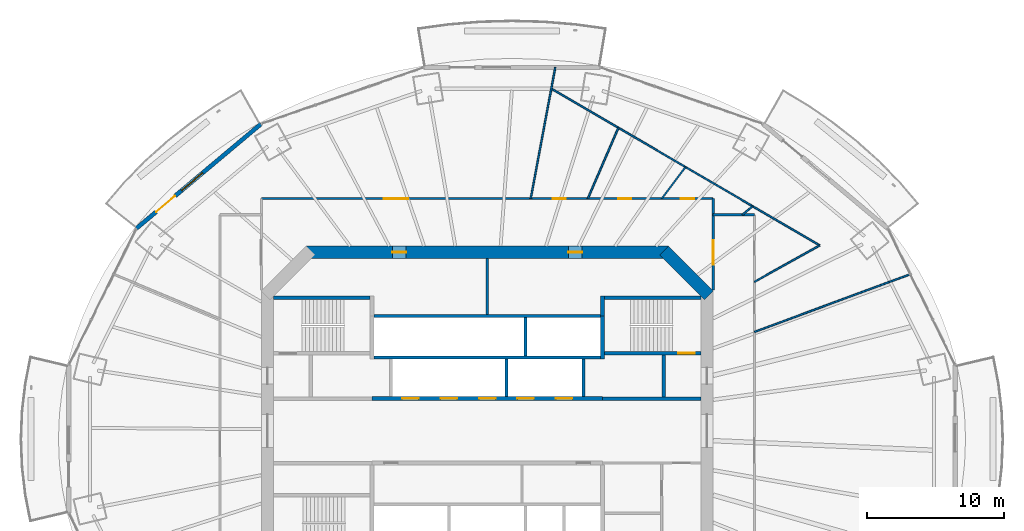
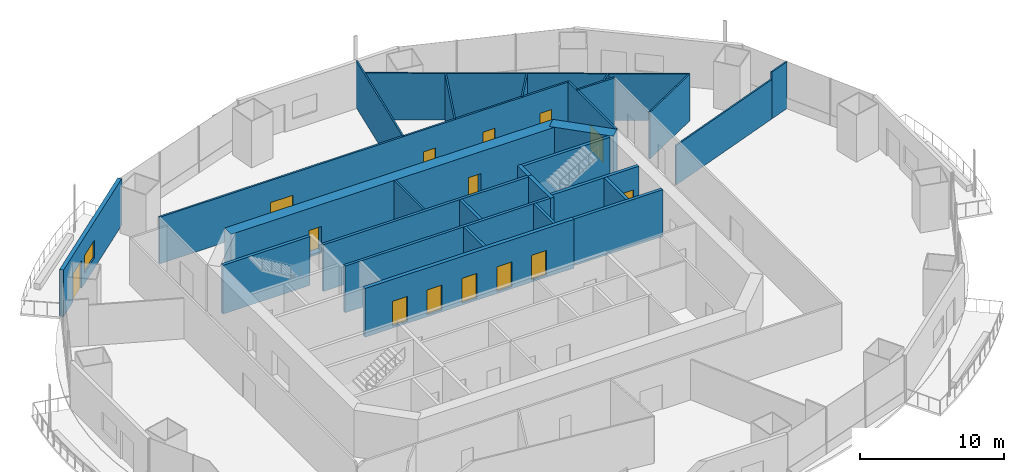
# One storey, part 14 of 21: 28 walls, 14 doors, 1 window, 15 openings.
"""IFC4 building model written with IfcOpenShell, lengths in metres."""

from ifc_helpers import new_model, si_unit, direction, frame, frame_2d, origin, place, context, subcontext, project, spatial, rectangle, extrude, material, layer, layer_set, type_object, element, fill, save


model = new_model("IFC4")

# Units and contexts
model_context = context("Model", 3, precision=1e-05, world=origin(), true_north=direction((0.0, 1.0)))
body_context = subcontext(model_context, "Body", "Model", "MODEL_VIEW")
ifc_project = project(units=[si_unit("LENGTHUNIT", "METRE"), si_unit("AREAUNIT", "SQUARE_METRE"), si_unit("VOLUMEUNIT", "CUBIC_METRE"), si_unit("PLANEANGLEUNIT", "RADIAN"), si_unit("MASSUNIT", "GRAM", prefix="KILO")], contexts=[model_context])

# Site, building, storey
site_placement = place(None, origin())
site = spatial("IfcSite", under=ifc_project, at=site_placement, CompositionType="ELEMENT")
building_placement = place(site_placement, origin())
building = spatial("IfcBuilding", under=site, at=building_placement, Name="Marenthal Gate Tower", CompositionType="ELEMENT")
storey_placement = place(building_placement, frame((0.0, 0.0, 165.199951171875)))
storey = spatial("IfcBuildingStorey", under=building, at=storey_placement, Name="L35", CompositionType="ELEMENT", Elevation=165.199951171875)

# Wall
ifc_material_1 = material(Name="Concrete 60 MPa", Category="concrete")
ifc_layer_1 = layer(ifc_material_1, 0.89990234375)
ifc_layer_set_1 = layer_set([ifc_layer_1], Name="Core shear wall 900")
wall_type_1 = type_object("IfcWallType", Name="Core shear wall 900", PredefinedType="SHEAR", material=ifc_layer_set_1)
wall_1_placement = place(storey_placement, frame((16.1318359375, 9.8681640625, -0.179931640625), z_axis=(0.0, 0.0, 1.0), x_axis=(-0.707106781187, 0.707106781187, 0.0)))
element("IfcWall", 1, at=wall_1_placement, inside=storey, type_object=wall_type_1, Name="Core wall 03", PredefinedType="SHEAR", context=body_context, shape_type="SweptSolid", body=[
    extrude(rectangle(XDim=4.615478515625, YDim=0.89990234375, at=frame_2d((2.3076171875, 0.0))), origin(), (0.0, 0.0, 1.0), 4.14990234375),
])

# Wall, openings, doors
wall_2_placement = place(storey_placement, frame((13.186279296875, 13.0, -0.179931640625), z_axis=(0.0, 0.0, 1.0), x_axis=(-1.0, 0.0, 0.0)))
wall_2 = element("IfcWall", 2, at=wall_2_placement, inside=storey, type_object=wall_type_1, Name="Core wall 04", PredefinedType="SHEAR", context=body_context, shape_type="SweptSolid", body=[
    extrude(rectangle(XDim=26.37255859375, YDim=0.89990234375, at=frame_2d((13.186279296875, 0.0))), origin(), (0.0, 0.0, 1.0), 4.14990234375),
])
opening_1_placement = place(wall_2_placement, frame((19.093505859375, 0.0, 0.179931640625)))
opening_1 = element("IfcOpeningElement", 3, at=opening_1_placement, cuts=wall_2, Name="Opening D005.03", PredefinedType="OPENING", context=body_context, shape_type="SweptSolid", body=[
    extrude(rectangle(XDim=1.0, YDim=2.10009765625, at=frame_2d((0.5, 1.050048828125))), frame((0.0, 0.4599609375, 0.0), z_axis=(0.0, -1.0, 0.0), x_axis=(1.0, 0.0, 0.0)), (0.0, 0.0, 1.0), 0.919921875),
])
opening_2_placement = place(wall_2_placement, frame((6.279296875, 0.0, 0.179931640625)))
opening_2 = element("IfcOpeningElement", 4, at=opening_2_placement, cuts=wall_2, Name="Opening D005.04", PredefinedType="OPENING", context=body_context, shape_type="SweptSolid", body=[
    extrude(rectangle(XDim=1.0, YDim=2.10009765625, at=frame_2d((0.5, 1.050048828125))), frame((0.0, 0.4599609375, 0.0), z_axis=(0.0, -1.0, 0.0), x_axis=(1.0, 0.0, 0.0)), (0.0, 0.0, 1.0), 0.919921875),
])
ifc_material_2 = material(Name="Steel fire door", Category="steel")
door_type_1 = type_object("IfcDoorType", Name="Fire door FD 45 1000 x 2100", OperationType="NOTDEFINED", PredefinedType="DOOR", material=ifc_material_2)
door_1_placement = place(opening_1_placement, origin())
door_1 = element("IfcDoor", 5, at=door_1_placement, inside=storey, type_object=door_type_1, Name="Door D005.03", OperationType="SINGLE_SWING_RIGHT", OverallHeight=2.10009765625, OverallWidth=1.0, PredefinedType="DOOR", context=body_context, shape_type="SweptSolid", body=[
    extrude(rectangle(XDim=1.0, YDim=2.10009765625, at=frame_2d((0.5, 1.050048828125))), frame((0.0, 0.02490234375, 0.0), z_axis=(0.0, -1.0, 0.0), x_axis=(1.0, 0.0, 0.0)), (0.0, 0.0, 1.0), 0.050048828125),
])
fill(opening_1, door_1)
door_2_placement = place(opening_2_placement, origin())
door_2 = element("IfcDoor", 6, at=door_2_placement, inside=storey, type_object=door_type_1, Name="Door D005.04", OperationType="SINGLE_SWING_RIGHT", OverallHeight=2.10009765625, OverallWidth=1.0, PredefinedType="DOOR", context=body_context, shape_type="SweptSolid", body=[
    extrude(rectangle(XDim=1.0, YDim=2.10009765625, at=frame_2d((0.5, 1.050048828125))), frame((0.0, 0.02490234375, 0.0), z_axis=(0.0, -1.0, 0.0), x_axis=(1.0, 0.0, 0.0)), (0.0, 0.0, 1.0), 0.050048828125),
])
fill(opening_2, door_2)

ifc_material_3 = material(Name="Concrete 50 MPa", Category="concrete")
ifc_layer_2 = layer(ifc_material_3, 0.300048828125)
ifc_layer_set_2 = layer_set([ifc_layer_2], Name="Hoistway shear wall 300")
wall_type_2 = type_object("IfcWallType", Name="Hoistway shear wall 300", PredefinedType="SHEAR", material=ifc_layer_set_2)
wall_3_placement = place(storey_placement, frame((-8.39990234375, 2.35009765625, -0.179931640625), z_axis=(0.0, 0.0, 1.0), x_axis=(1.0, 0.0, 0.0)))
wall_3 = element("IfcWall", 7, at=wall_3_placement, inside=storey, type_object=wall_type_2, Name="Hoistway wall 19", PredefinedType="SHEAR", context=body_context, shape_type="SweptSolid", body=[
    extrude(rectangle(XDim=16.7998046875, YDim=0.300048828125, at=frame_2d((8.39990234375, 0.0))), origin(), (0.0, 0.0, 1.0), 4.14990234375),
])
opening_3_placement = place(wall_3_placement, frame((2.199951171875, 0.0, 0.179931640625)))
opening_3 = element("IfcOpeningElement", 8, at=opening_3_placement, cuts=wall_3, Name="Opening LD-MP1", PredefinedType="OPENING", context=body_context, shape_type="SweptSolid", body=[
    extrude(rectangle(XDim=1.199951171875, YDim=2.10009765625, at=frame_2d((0.60009765625, 1.050048828125))), frame((0.0, 0.16015625, 0.0), z_axis=(0.0, -1.0, 0.0), x_axis=(1.0, 0.0, 0.0)), (0.0, 0.0, 1.0), 0.320068359375),
])
opening_4_placement = place(wall_3_placement, frame((5.0, 0.0, 0.179931640625)))
opening_4 = element("IfcOpeningElement", 9, at=opening_4_placement, cuts=wall_3, Name="Opening LD-MP2", PredefinedType="OPENING", context=body_context, shape_type="SweptSolid", body=[
    extrude(rectangle(XDim=1.199951171875, YDim=2.10009765625, at=frame_2d((0.60009765625, 1.050048828125))), frame((0.0, 0.16015625, 0.0), z_axis=(0.0, -1.0, 0.0), x_axis=(1.0, 0.0, 0.0)), (0.0, 0.0, 1.0), 0.320068359375),
])
opening_5_placement = place(wall_3_placement, frame((7.800048828125, 0.0, 0.179931640625)))
opening_5 = element("IfcOpeningElement", 10, at=opening_5_placement, cuts=wall_3, Name="Opening LD-MP3", PredefinedType="OPENING", context=body_context, shape_type="SweptSolid", body=[
    extrude(rectangle(XDim=1.199951171875, YDim=2.10009765625, at=frame_2d((0.60009765625, 1.050048828125))), frame((0.0, 0.16015625, 0.0), z_axis=(0.0, -1.0, 0.0), x_axis=(1.0, 0.0, 0.0)), (0.0, 0.0, 1.0), 0.320068359375),
])
opening_6_placement = place(wall_3_placement, frame((10.60009765625, 0.0, 0.179931640625)))
opening_6 = element("IfcOpeningElement", 11, at=opening_6_placement, cuts=wall_3, Name="Opening LD-MP4", PredefinedType="OPENING", context=body_context, shape_type="SweptSolid", body=[
    extrude(rectangle(XDim=1.199951171875, YDim=2.10009765625, at=frame_2d((0.60009765625, 1.050048828125))), frame((0.0, 0.16015625, 0.0), z_axis=(0.0, -1.0, 0.0), x_axis=(1.0, 0.0, 0.0)), (0.0, 0.0, 1.0), 0.320068359375),
])
opening_7_placement = place(wall_3_placement, frame((13.39990234375, 0.0, 0.179931640625)))
opening_7 = element("IfcOpeningElement", 12, at=opening_7_placement, cuts=wall_3, Name="Opening LD-MP5", PredefinedType="OPENING", context=body_context, shape_type="SweptSolid", body=[
    extrude(rectangle(XDim=1.199951171875, YDim=2.10009765625, at=frame_2d((0.60009765625, 1.050048828125))), frame((0.0, 0.16015625, 0.0), z_axis=(0.0, -1.0, 0.0), x_axis=(1.0, 0.0, 0.0)), (0.0, 0.0, 1.0), 0.320068359375),
])
ifc_material_4 = material(Name="Stainless steel sliding door", Category="steel")
door_type_2 = type_object("IfcDoorType", Name="Lift landing door FD 90 1200 x 2100", OperationType="DOUBLE_DOOR_SLIDING", PredefinedType="DOOR", material=ifc_material_4)
door_3_placement = place(opening_3_placement, origin())
door_3 = element("IfcDoor", 13, at=door_3_placement, inside=storey, type_object=door_type_2, Name="Lift landing door MP1", OperationType="DOUBLE_DOOR_SLIDING", OverallHeight=2.10009765625, OverallWidth=1.199951171875, PredefinedType="DOOR", context=body_context, shape_type="SweptSolid", body=[
    extrude(rectangle(XDim=1.199951171875, YDim=2.10009765625, at=frame_2d((0.60009765625, 1.050048828125))), frame((0.0, 0.02490234375, 0.0), z_axis=(0.0, -1.0, 0.0), x_axis=(1.0, 0.0, 0.0)), (0.0, 0.0, 1.0), 0.050048828125),
])
fill(opening_3, door_3)
door_4_placement = place(opening_4_placement, origin())
door_4 = element("IfcDoor", 14, at=door_4_placement, inside=storey, type_object=door_type_2, Name="Lift landing door MP2", OperationType="DOUBLE_DOOR_SLIDING", OverallHeight=2.10009765625, OverallWidth=1.199951171875, PredefinedType="DOOR", context=body_context, shape_type="SweptSolid", body=[
    extrude(rectangle(XDim=1.199951171875, YDim=2.10009765625, at=frame_2d((0.60009765625, 1.050048828125))), frame((0.0, 0.02490234375, 0.0), z_axis=(0.0, -1.0, 0.0), x_axis=(1.0, 0.0, 0.0)), (0.0, 0.0, 1.0), 0.050048828125),
])
fill(opening_4, door_4)
door_5_placement = place(opening_5_placement, origin())
door_5 = element("IfcDoor", 15, at=door_5_placement, inside=storey, type_object=door_type_2, Name="Lift landing door MP3", OperationType="DOUBLE_DOOR_SLIDING", OverallHeight=2.10009765625, OverallWidth=1.199951171875, PredefinedType="DOOR", context=body_context, shape_type="SweptSolid", body=[
    extrude(rectangle(XDim=1.199951171875, YDim=2.10009765625, at=frame_2d((0.60009765625, 1.050048828125))), frame((0.0, 0.02490234375, 0.0), z_axis=(0.0, -1.0, 0.0), x_axis=(1.0, 0.0, 0.0)), (0.0, 0.0, 1.0), 0.050048828125),
])
fill(opening_5, door_5)
door_6_placement = place(opening_6_placement, origin())
door_6 = element("IfcDoor", 16, at=door_6_placement, inside=storey, type_object=door_type_2, Name="Lift landing door MP4", OperationType="DOUBLE_DOOR_SLIDING", OverallHeight=2.10009765625, OverallWidth=1.199951171875, PredefinedType="DOOR", context=body_context, shape_type="SweptSolid", body=[
    extrude(rectangle(XDim=1.199951171875, YDim=2.10009765625, at=frame_2d((0.60009765625, 1.050048828125))), frame((0.0, 0.02490234375, 0.0), z_axis=(0.0, -1.0, 0.0), x_axis=(1.0, 0.0, 0.0)), (0.0, 0.0, 1.0), 0.050048828125),
])
fill(opening_6, door_6)
door_7_placement = place(opening_7_placement, origin())
door_7 = element("IfcDoor", 17, at=door_7_placement, inside=storey, type_object=door_type_2, Name="Lift landing door MP5", OperationType="DOUBLE_DOOR_SLIDING", OverallHeight=2.10009765625, OverallWidth=1.199951171875, PredefinedType="DOOR", context=body_context, shape_type="SweptSolid", body=[
    extrude(rectangle(XDim=1.199951171875, YDim=2.10009765625, at=frame_2d((0.60009765625, 1.050048828125))), frame((0.0, 0.02490234375, 0.0), z_axis=(0.0, -1.0, 0.0), x_axis=(1.0, 0.0, 0.0)), (0.0, 0.0, 1.0), 0.050048828125),
])
fill(opening_7, door_7)

# Walls
wall_4_placement = place(storey_placement, frame((8.39990234375, 5.239990234375, -0.179931640625), z_axis=(0.0, 0.0, 1.0), x_axis=(0.0, 1.0, 0.0)))
element("IfcWall", 18, at=wall_4_placement, inside=storey, type_object=wall_type_2, Name="Hoistway wall 45", PredefinedType="SHEAR", context=body_context, shape_type="SweptSolid", body=[
    extrude(rectangle(XDim=3.110107421875, YDim=0.300048828125, at=frame_2d((1.55517578125, 0.0))), origin(), (0.0, 0.0, 1.0), 4.14990234375),
])
ifc_material_5 = material(Name="Concrete 40 MPa", Category="concrete")
ifc_layer_3 = layer(ifc_material_5, 0.219970703125)
ifc_layer_set_3 = layer_set([ifc_layer_3], Name="Hoistway wall 220")
wall_type_3 = type_object("IfcWallType", Name="Hoistway wall 220", PredefinedType="STANDARD", material=ifc_layer_set_3)
for number, where, z_axis, x_axis, name in (
    (19, (-8.25, 5.35009765625, 0.0), (0.0, 0.0, 1.0), (1.0, 0.0, 0.0), "Hoistway wall 21"),
    (20, (-8.25, 8.35009765625, 0.0), (0.0, 0.0, 1.0), (1.0, 0.0, 0.0), "Hoistway wall 24"),
):
    element("IfcWall", number, at=place(storey_placement, frame(where, z_axis=z_axis, x_axis=x_axis)), inside=storey, type_object=wall_type_3, Name=name, PredefinedType="STANDARD", context=body_context, shape_type="SweptSolid", body=[
        extrude(rectangle(XDim=16.5, YDim=0.219970703125, at=frame_2d((8.25, 0.0))), origin(), (0.0, 0.0, 1.0), 3.969970703125),
    ])
wall_5_placement = place(storey_placement, frame((1.39990234375, 2.5, 0.0), z_axis=(0.0, 0.0, 1.0), x_axis=(0.0, 1.0, 0.0)))
element("IfcWall", 21, at=wall_5_placement, inside=storey, type_object=wall_type_3, Name="Hoistway wall 37", PredefinedType="STANDARD", context=body_context, shape_type="SweptSolid", body=[
    extrude(rectangle(XDim=2.739990234375, YDim=0.219970703125, at=frame_2d((1.3701171875, 0.0))), origin(), (0.0, 0.0, 1.0), 3.969970703125),
])
wall_6_placement = place(storey_placement, frame((2.800048828125, 5.4599609375, 0.0), z_axis=(0.0, 0.0, 1.0), x_axis=(0.0, 1.0, 0.0)))
element("IfcWall", 22, at=wall_6_placement, inside=storey, type_object=wall_type_3, Name="Hoistway wall 40", PredefinedType="STANDARD", context=body_context, shape_type="SweptSolid", body=[
    extrude(rectangle(XDim=2.780029296875, YDim=0.219970703125, at=frame_2d((1.39013671875, 0.0))), origin(), (0.0, 0.0, 1.0), 3.969970703125),
])
wall_7_placement = place(storey_placement, frame((7.0, 2.5, 0.0), z_axis=(0.0, 0.0, 1.0), x_axis=(0.0, 1.0, 0.0)))
element("IfcWall", 23, at=wall_7_placement, inside=storey, type_object=wall_type_3, Name="Hoistway wall 42", PredefinedType="STANDARD", context=body_context, shape_type="SweptSolid", body=[
    extrude(rectangle(XDim=2.739990234375, YDim=0.219970703125, at=frame_2d((1.3701171875, 0.0))), origin(), (0.0, 0.0, 1.0), 3.969970703125),
])
ifc_material_6 = material(Name="Gypsum board on steel studs", Category="steel")
ifc_layer_4 = layer(ifc_material_6, 0.1201171875)
ifc_layer_set_4 = layer_set([ifc_layer_4], Name="Partition 120")
wall_type_4 = type_object("IfcWallType", Name="Partition 120", PredefinedType="PARTITIONING", material=ifc_layer_set_4)
wall_8_placement = place(storey_placement, frame((3.162109375, 16.90380859375, 0.0), z_axis=(0.0, 0.0, 1.0), x_axis=(0.183861029676, 0.982952247958, 0.0)))
element("IfcWall", 24, at=wall_8_placement, inside=storey, type_object=wall_type_4, Name="Partition wall 58", PredefinedType="PARTITIONING", context=body_context, shape_type="SweptSolid", body=[
    extrude(rectangle(XDim=9.723876953125, YDim=0.1201171875, at=frame_2d((4.86181640625, 0.0))), origin(), (0.0, 0.0, 1.0), 3.969970703125),
])
wall_9_placement = place(storey_placement, frame((9.547119140625, 22.0625, 0.0), z_axis=(0.0, 0.0, 1.0), x_axis=(-0.397156395758, -0.917750945142, 0.0)))
element("IfcWall", 25, at=wall_9_placement, inside=storey, type_object=wall_type_4, Name="Partition wall 60", PredefinedType="PARTITIONING", context=body_context, shape_type="SweptSolid", body=[
    extrude(rectangle(XDim=5.62109375, YDim=0.1201171875, at=frame_2d((2.810546875, 0.0))), origin(), (0.0, 0.0, 1.0), 3.969970703125),
])
wall_10_placement = place(storey_placement, frame((14.43310546875, 19.208984375, 0.0), z_axis=(0.0, 0.0, 1.0), x_axis=(-0.600731295076, -0.799451006076, 0.0)))
element("IfcWall", 26, at=wall_10_placement, inside=storey, type_object=wall_type_4, Name="Partition wall 61", PredefinedType="PARTITIONING", context=body_context, shape_type="SweptSolid", body=[
    extrude(rectangle(XDim=2.883544921875, YDim=0.1201171875, at=frame_2d((1.44189453125, 0.0))), origin(), (0.0, 0.0, 1.0), 3.969970703125),
])
wall_11_placement = place(storey_placement, frame((19.3193359375, 16.355712890625, 0.0), z_axis=(0.0, 0.0, 1.0), x_axis=(-0.763098484836, -0.646282215786, 0.0)))
element("IfcWall", 27, at=wall_11_placement, inside=storey, type_object=wall_type_4, Name="Partition wall 64", PredefinedType="PARTITIONING", context=body_context, shape_type="SweptSolid", body=[
    extrude(rectangle(XDim=0.965576171875, YDim=0.1201171875, at=frame_2d((0.48291015625, 0.0))), origin(), (0.0, 0.0, 1.0), 3.969970703125),
])
wall_12_placement = place(storey_placement, frame((19.449951171875, 7.202880859375, 0.0), z_axis=(0.0, 0.0, 1.0), x_axis=(0.937756089428, 0.347294567682, 0.0)))
element("IfcWall", 28, at=wall_12_placement, inside=storey, type_object=wall_type_4, Name="Partition wall 66", PredefinedType="PARTITIONING", context=body_context, shape_type="SweptSolid", body=[
    extrude(rectangle(XDim=10.44775390625, YDim=0.1201171875, at=frame_2d((5.223876953125, 0.0))), origin(), (0.0, 0.0, 1.0), 3.358154296875),
])
wall_13_placement = place(storey_placement, frame((29.247314453125, 10.831298828125, 0.0), z_axis=(0.0, 0.0, 1.0), x_axis=(0.937796889534, 0.347184380381, 0.0)))
element("IfcWall", 29, at=wall_13_placement, inside=storey, type_object=wall_type_4, Name="Partition wall 72", PredefinedType="PARTITIONING", context=body_context, shape_type="SweptSolid", body=[
    extrude(rectangle(XDim=1.65185546875, YDim=0.1201171875, at=frame_2d((0.825927734375, 0.0))), origin(), (0.0, 0.0, 1.0), 3.969970703125),
])
wall_14_placement = place(storey_placement, frame((24.20556640625, 13.50244140625, 0.0), z_axis=(0.0, 0.0, 1.0), x_axis=(-0.863538195042, 0.504283437864, 0.0)))
element("IfcWall", 30, at=wall_14_placement, inside=storey, type_object=wall_type_4, Name="Partition wall 68", PredefinedType="PARTITIONING", context=body_context, shape_type="SweptSolid", body=[
    extrude(rectangle(XDim=22.63330078125, YDim=0.1201171875, at=frame_2d((11.316650390625, 0.0))), origin(), (0.0, 0.0, 1.0), 3.969970703125),
])
wall_15_placement = place(storey_placement, frame((24.20556640625, 13.50244140625, 0.0), z_axis=(0.0, 0.0, 1.0), x_axis=(-0.873312155931, -0.487161039394, 0.0)))
element("IfcWall", 31, at=wall_15_placement, inside=storey, type_object=wall_type_4, Name="Partition wall 69", PredefinedType="PARTITIONING", context=body_context, shape_type="SweptSolid", body=[
    extrude(rectangle(XDim=5.445556640625, YDim=0.1201171875, at=frame_2d((2.72265625, 0.0))), origin(), (0.0, 0.0, 1.0), 3.969970703125),
])
ifc_material_7 = material(Name="Gypsum board on steel studs", Category="steel")
ifc_layer_5 = layer(ifc_material_7, 0.14990234375)
ifc_layer_set_5 = layer_set([ifc_layer_5], Name="Partition 150")
wall_type_5 = type_object("IfcWallType", Name="Partition 150", PredefinedType="PARTITIONING", material=ifc_layer_set_5)
wall_16_placement = place(storey_placement, frame((0.0, 8.4599609375, 0.0), z_axis=(0.0, 0.0, 1.0), x_axis=(0.0, 1.0, 0.0)))
element("IfcWall", 32, at=wall_16_placement, inside=storey, type_object=wall_type_5, Name="Partition wall 36", PredefinedType="PARTITIONING", context=body_context, shape_type="SweptSolid", body=[
    extrude(rectangle(XDim=4.090087890625, YDim=0.14990234375, at=frame_2d((2.044921875, 0.0))), origin(), (0.0, 0.0, 1.0), 3.969970703125),
])

# Wall, openings, doors
wall_17_placement = place(storey_placement, frame((-16.449951171875, 16.90380859375, 0.0), z_axis=(0.0, 0.0, 1.0), x_axis=(1.0, 0.0, 0.0)))
wall_17 = element("IfcWall", 33, at=wall_17_placement, inside=storey, type_object=wall_type_5, Name="Partition wall 54", PredefinedType="PARTITIONING", context=body_context, shape_type="SweptSolid", body=[
    extrude(rectangle(XDim=32.89990234375, YDim=0.14990234375, at=frame_2d((16.449951171875, 0.0))), origin(), (0.0, 0.0, 1.0), 3.969970703125),
])
opening_8_placement = place(wall_17_placement, frame((30.550048828125, 0.0, 0.0)))
opening_8 = element("IfcOpeningElement", 34, at=opening_8_placement, cuts=wall_17, Name="Opening D016.02", PredefinedType="OPENING", context=body_context, shape_type="SweptSolid", body=[
    extrude(rectangle(XDim=0.949951171875, YDim=2.10009765625, at=frame_2d((0.47509765625, 1.050048828125))), frame((0.0, 0.0849609375, 0.0), z_axis=(0.0, -1.0, 0.0), x_axis=(1.0, 0.0, 0.0)), (0.0, 0.0, 1.0), 0.169921875),
])
opening_9_placement = place(wall_17_placement, frame((25.98291015625, 0.0, 0.0)))
opening_9 = element("IfcOpeningElement", 35, at=opening_9_placement, cuts=wall_17, Name="Opening D016.03", PredefinedType="OPENING", context=body_context, shape_type="SweptSolid", body=[
    extrude(rectangle(XDim=0.949951171875, YDim=2.10009765625, at=frame_2d((0.47509765625, 1.050048828125))), frame((0.0, 0.0849609375, 0.0), z_axis=(0.0, -1.0, 0.0), x_axis=(1.0, 0.0, 0.0)), (0.0, 0.0, 1.0), 0.169921875),
])
opening_10_placement = place(wall_17_placement, frame((21.212890625, 0.0, 0.0)))
opening_10 = element("IfcOpeningElement", 36, at=opening_10_placement, cuts=wall_17, Name="Opening D016.04", PredefinedType="OPENING", context=body_context, shape_type="SweptSolid", body=[
    extrude(rectangle(XDim=0.949951171875, YDim=2.10009765625, at=frame_2d((0.47509765625, 1.050048828125))), frame((0.0, 0.0849609375, 0.0), z_axis=(0.0, -1.0, 0.0), x_axis=(1.0, 0.0, 0.0)), (0.0, 0.0, 1.0), 0.169921875),
])
opening_11_placement = place(wall_17_placement, frame((8.906005859375, 0.0, 0.0)))
opening_11 = element("IfcOpeningElement", 37, at=opening_11_placement, cuts=wall_17, Name="Opening D014.01", PredefinedType="OPENING", context=body_context, shape_type="SweptSolid", body=[
    extrude(rectangle(XDim=1.800048828125, YDim=2.10009765625, at=frame_2d((0.89990234375, 1.050048828125))), frame((0.0, 0.0849609375, 0.0), z_axis=(0.0, -1.0, 0.0), x_axis=(1.0, 0.0, 0.0)), (0.0, 0.0, 1.0), 0.169921875),
])
ifc_material_8 = material(Name="Timber door", Category="wood")
door_type_3 = type_object("IfcDoorType", Name="Door 950 x 2100", OperationType="NOTDEFINED", PredefinedType="DOOR", material=ifc_material_8)
door_8_placement = place(opening_8_placement, origin())
door_8 = element("IfcDoor", 38, at=door_8_placement, inside=storey, type_object=door_type_3, Name="Door D016.02", OperationType="SINGLE_SWING_RIGHT", OverallHeight=2.10009765625, OverallWidth=0.949951171875, PredefinedType="DOOR", context=body_context, shape_type="SweptSolid", body=[
    extrude(rectangle(XDim=0.949951171875, YDim=2.10009765625, at=frame_2d((0.47509765625, 1.050048828125))), frame((0.0, 0.02490234375, 0.0), z_axis=(0.0, -1.0, 0.0), x_axis=(1.0, 0.0, 0.0)), (0.0, 0.0, 1.0), 0.050048828125),
])
fill(opening_8, door_8)
door_9_placement = place(opening_9_placement, origin())
door_9 = element("IfcDoor", 39, at=door_9_placement, inside=storey, type_object=door_type_3, Name="Door D016.03", OperationType="SINGLE_SWING_RIGHT", OverallHeight=2.10009765625, OverallWidth=0.949951171875, PredefinedType="DOOR", context=body_context, shape_type="SweptSolid", body=[
    extrude(rectangle(XDim=0.949951171875, YDim=2.10009765625, at=frame_2d((0.47509765625, 1.050048828125))), frame((0.0, 0.02490234375, 0.0), z_axis=(0.0, -1.0, 0.0), x_axis=(1.0, 0.0, 0.0)), (0.0, 0.0, 1.0), 0.050048828125),
])
fill(opening_9, door_9)
door_10_placement = place(opening_10_placement, origin())
door_10 = element("IfcDoor", 40, at=door_10_placement, inside=storey, type_object=door_type_3, Name="Door D016.04", OperationType="SINGLE_SWING_RIGHT", OverallHeight=2.10009765625, OverallWidth=0.949951171875, PredefinedType="DOOR", context=body_context, shape_type="SweptSolid", body=[
    extrude(rectangle(XDim=0.949951171875, YDim=2.10009765625, at=frame_2d((0.47509765625, 1.050048828125))), frame((0.0, 0.02490234375, 0.0), z_axis=(0.0, -1.0, 0.0), x_axis=(1.0, 0.0, 0.0)), (0.0, 0.0, 1.0), 0.050048828125),
])
fill(opening_10, door_10)
ifc_material_9 = material(Name="Timber door", Category="wood")
door_type_4 = type_object("IfcDoorType", Name="Double door 1800 x 2100", OperationType="DOUBLE_DOOR_SINGLE_SWING", PredefinedType="DOOR", material=ifc_material_9)
door_11_placement = place(opening_11_placement, origin())
door_11 = element("IfcDoor", 41, at=door_11_placement, inside=storey, type_object=door_type_4, Name="Door D014.01", OperationType="DOUBLE_DOOR_SINGLE_SWING", OverallHeight=2.10009765625, OverallWidth=1.800048828125, PredefinedType="DOOR", context=body_context, shape_type="SweptSolid", body=[
    extrude(rectangle(XDim=1.800048828125, YDim=2.10009765625, at=frame_2d((0.89990234375, 1.050048828125))), frame((0.0, 0.02490234375, 0.0), z_axis=(0.0, -1.0, 0.0), x_axis=(1.0, 0.0, 0.0)), (0.0, 0.0, 1.0), 0.050048828125),
])
fill(opening_11, door_11)

# Wall, opening, door
wall_18_placement = place(storey_placement, frame((16.449951171875, 10.25, 0.0), z_axis=(0.0, 0.0, 1.0), x_axis=(0.0, 1.0, 0.0)))
wall_18 = element("IfcWall", 42, at=wall_18_placement, inside=storey, type_object=wall_type_5, Name="Partition wall 62", PredefinedType="PARTITIONING", context=body_context, shape_type="SweptSolid", body=[
    extrude(rectangle(XDim=6.65380859375, YDim=0.14990234375, at=frame_2d((3.326904296875, 0.0))), origin(), (0.0, 0.0, 1.0), 3.969970703125),
])
opening_12_placement = place(wall_18_placement, frame((1.841064453125, 0.0, 0.0)))
opening_12 = element("IfcOpeningElement", 43, at=opening_12_placement, cuts=wall_18, Name="Opening D014.06", PredefinedType="OPENING", context=body_context, shape_type="SweptSolid", body=[
    extrude(rectangle(XDim=1.800048828125, YDim=2.10009765625, at=frame_2d((0.89990234375, 1.050048828125))), frame((0.0, 0.0849609375, 0.0), z_axis=(0.0, -1.0, 0.0), x_axis=(1.0, 0.0, 0.0)), (0.0, 0.0, 1.0), 0.169921875),
])
door_12_placement = place(opening_12_placement, origin())
door_12 = element("IfcDoor", 44, at=door_12_placement, inside=storey, type_object=door_type_4, Name="Door D014.06", OperationType="DOUBLE_DOOR_SINGLE_SWING", OverallHeight=2.10009765625, OverallWidth=1.800048828125, PredefinedType="DOOR", context=body_context, shape_type="SweptSolid", body=[
    extrude(rectangle(XDim=1.800048828125, YDim=2.10009765625, at=frame_2d((0.89990234375, 1.050048828125))), frame((0.0, 0.02490234375, 0.0), z_axis=(0.0, -1.0, 0.0), x_axis=(1.0, 0.0, 0.0)), (0.0, 0.0, 1.0), 0.050048828125),
])
fill(opening_12, door_12)

# Walls
wall_19_placement = place(storey_placement, frame((16.449951171875, 15.731689453125, 0.0), z_axis=(0.0, 0.0, 1.0), x_axis=(1.0, 0.0, 0.0)))
element("IfcWall", 45, at=wall_19_placement, inside=storey, type_object=wall_type_5, Name="Partition wall 63", PredefinedType="PARTITIONING", context=body_context, shape_type="SweptSolid", body=[
    extrude(rectangle(XDim=3.0, YDim=0.14990234375, at=frame_2d((1.5, 0.0))), origin(), (0.0, 0.0, 1.0), 3.969970703125),
])
ifc_material_10 = material(Name="Concrete 40 MPa", Category="concrete")
ifc_layer_6 = layer(ifc_material_10, 0.25)
ifc_layer_set_6 = layer_set([ifc_layer_6], Name="Stair enclosure wall 250")
wall_type_6 = type_object("IfcWallType", Name="Stair enclosure wall 250", PredefinedType="STANDARD", material=ifc_layer_set_6)
wall_20_placement = place(storey_placement, frame((8.39990234375, 2.35009765625, 0.0), z_axis=(0.0, 0.0, 1.0), x_axis=(1.0, 0.0, 0.0)))
element("IfcWall", 46, at=wall_20_placement, inside=storey, type_object=wall_type_6, Name="Stair wall 20", PredefinedType="STANDARD", context=body_context, shape_type="SweptSolid", body=[
    extrude(rectangle(XDim=7.150146484375, YDim=0.25, at=frame_2d((3.5751953125, 0.0))), origin(), (0.0, 0.0, 1.0), 3.969970703125),
])
wall_21_placement = place(storey_placement, frame((12.85009765625, 2.47509765625, 0.0), z_axis=(0.0, 0.0, 1.0), x_axis=(0.0, 1.0, 0.0)))
element("IfcWall", 47, at=wall_21_placement, inside=storey, type_object=wall_type_6, Name="Stair wall 48", PredefinedType="STANDARD", context=body_context, shape_type="SweptSolid", body=[
    extrude(rectangle(XDim=3.0498046875, YDim=0.25, at=frame_2d((1.52490234375, 0.0))), origin(), (0.0, 0.0, 1.0), 3.969970703125),
])

# Wall, opening, door
ifc_material_11 = material(Name="Concrete 50 MPa", Category="concrete")
ifc_layer_7 = layer(ifc_material_11, 0.25)
ifc_layer_set_7 = layer_set([ifc_layer_7], Name="Stair shear wall 250")
wall_type_7 = type_object("IfcWallType", Name="Stair shear wall 250", PredefinedType="SHEAR", material=ifc_layer_set_7)
wall_22_placement = place(storey_placement, frame((8.550048828125, 5.64990234375, -0.179931640625), z_axis=(0.0, 0.0, 1.0), x_axis=(1.0, 0.0, 0.0)))
wall_22 = element("IfcWall", 48, at=wall_22_placement, inside=storey, type_object=wall_type_7, Name="Stair wall 23", PredefinedType="SHEAR", context=body_context, shape_type="SweptSolid", body=[
    extrude(rectangle(XDim=7.0, YDim=0.25, at=frame_2d((3.5, 0.0))), origin(), (0.0, 0.0, 1.0), 4.14990234375),
])
opening_13_placement = place(wall_22_placement, frame((5.35009765625, 0.0, 0.179931640625)))
opening_13 = element("IfcOpeningElement", 49, at=opening_13_placement, cuts=wall_22, Name="Opening D001.02", PredefinedType="OPENING", context=body_context, shape_type="SweptSolid", body=[
    extrude(rectangle(XDim=1.199951171875, YDim=2.10009765625, at=frame_2d((0.60009765625, 1.050048828125))), frame((0.0, 0.135009765625, 0.0), z_axis=(0.0, -1.0, 0.0), x_axis=(1.0, 0.0, 0.0)), (0.0, 0.0, 1.0), 0.27001953125),
])
ifc_material_12 = material(Name="Steel fire door", Category="steel")
door_type_5 = type_object("IfcDoorType", Name="Fire door FD 90 1200 x 2100", OperationType="NOTDEFINED", PredefinedType="DOOR", material=ifc_material_12)
door_13_placement = place(opening_13_placement, origin())
door_13 = element("IfcDoor", 50, at=door_13_placement, inside=storey, type_object=door_type_5, Name="Door D001.02", OperationType="SINGLE_SWING_RIGHT", OverallHeight=2.10009765625, OverallWidth=1.199951171875, PredefinedType="DOOR", context=body_context, shape_type="SweptSolid", body=[
    extrude(rectangle(XDim=1.199951171875, YDim=2.10009765625, at=frame_2d((0.60009765625, 1.050048828125))), frame((0.0, 0.02490234375, 0.0), z_axis=(0.0, -1.0, 0.0), x_axis=(1.0, 0.0, 0.0)), (0.0, 0.0, 1.0), 0.050048828125),
])
fill(opening_13, door_13)

# Walls
for number, where, z_axis, x_axis, name in (
    (51, (-15.550048828125, 9.699951171875, -0.179931640625), (0.0, 0.0, 1.0), (1.0, 0.0, 0.0), "Stair wall 25"),
    (52, (8.550048828125, 9.699951171875, -0.179931640625), (0.0, 0.0, 1.0), (1.0, 0.0, 0.0), "Stair wall 26"),
):
    element("IfcWall", number, at=place(storey_placement, frame(where, z_axis=z_axis, x_axis=x_axis)), inside=storey, type_object=wall_type_7, Name=name, PredefinedType="SHEAR", context=body_context, shape_type="SweptSolid", body=[
        extrude(rectangle(XDim=7.0, YDim=0.25, at=frame_2d((3.5, 0.0))), origin(), (0.0, 0.0, 1.0), 4.14990234375),
    ])
ifc_material_13 = material(Name="Concrete 50 MPa", Category="concrete")
ifc_layer_8 = layer(ifc_material_13, 0.300048828125)
ifc_layer_set_8 = layer_set([ifc_layer_8], Name="Stair shear wall 300")
wall_type_8 = type_object("IfcWallType", Name="Stair shear wall 300", PredefinedType="SHEAR", material=ifc_layer_set_8)
wall_23_placement = place(storey_placement, frame((8.39990234375, 8.35009765625, -0.179931640625), z_axis=(0.0, 0.0, 1.0), x_axis=(0.0, 1.0, 0.0)))
element("IfcWall", 53, at=wall_23_placement, inside=storey, type_object=wall_type_8, Name="Stair wall 46", PredefinedType="SHEAR", context=body_context, shape_type="SweptSolid", body=[
    extrude(rectangle(XDim=1.474853515625, YDim=0.300048828125, at=frame_2d((0.7373046875, 0.0))), origin(), (0.0, 0.0, 1.0), 4.14990234375),
])

# Wall, openings, door, window
ifc_material_14 = material(Name="Terracotta cladding on insulated concrete-block backing", Category="masonry")
ifc_layer_9 = layer(ifc_material_14, 0.300048828125)
ifc_layer_set_9 = layer_set([ifc_layer_9], Name="Terracotta facade wall 300")
wall_type_9 = type_object("IfcWallType", Name="Terracotta facade wall 300", PredefinedType="SOLIDWALL", material=ifc_layer_set_9)
wall_24_placement = place(storey_placement, frame((-16.477783203125, 22.341796875, 0.0), z_axis=(0.0, 0.0, 1.0), x_axis=(-0.766197107622, -0.642605627327, 0.0)))
wall_24 = element("IfcWall", 54, at=wall_24_placement, inside=storey, type_object=wall_type_9, Name="Terracotta facade wall L35 bay 6", PredefinedType="SOLIDWALL", context=body_context, shape_type="SweptSolid", body=[
    extrude(rectangle(XDim=11.846435546875, YDim=0.300048828125, at=frame_2d((5.92333984375, 0.0))), origin(), (0.0, 0.0, 1.0), 3.969970703125),
])
opening_14_placement = place(wall_24_placement, frame((8.146484375, 0.0, 0.0)))
opening_14 = element("IfcOpeningElement", 55, at=opening_14_placement, cuts=wall_24, Name="Opening BD-L35-06", PredefinedType="OPENING", context=body_context, shape_type="SweptSolid", body=[
    extrude(rectangle(XDim=1.800048828125, YDim=2.39990234375, at=frame_2d((0.89990234375, 1.199951171875))), frame((0.0, 0.16015625, 0.0), z_axis=(0.0, -1.0, 0.0), x_axis=(1.0, 0.0, 0.0)), (0.0, 0.0, 1.0), 0.320068359375),
])
opening_15_placement = place(wall_24_placement, frame((5.54638671875, 0.0, 0.89990234375)))
opening_15 = element("IfcOpeningElement", 56, at=opening_15_placement, cuts=wall_24, Name="Opening WN2-L35-06", PredefinedType="OPENING", context=body_context, shape_type="SweptSolid", body=[
    extrude(rectangle(XDim=2.0, YDim=1.5, at=frame_2d((1.0, 0.75))), frame((0.0, 0.16015625, 0.0), z_axis=(0.0, -1.0, 0.0), x_axis=(1.0, 0.0, 0.0)), (0.0, 0.0, 1.0), 0.320068359375),
])
ifc_material_15 = material(Name="Aluminium and glass", Category="aluminium")
door_type_6 = type_object("IfcDoorType", Name="Balcony door 1800x2400", OperationType="DOUBLE_DOOR_SINGLE_SWING", PredefinedType="DOOR", material=ifc_material_15)
door_14_placement = place(opening_14_placement, origin())
door_14 = element("IfcDoor", 57, at=door_14_placement, inside=storey, type_object=door_type_6, Name="Balcony door L35 bay 6", OperationType="SINGLE_SWING_LEFT", OverallHeight=2.39990234375, OverallWidth=1.800048828125, PredefinedType="DOOR", context=body_context, shape_type="SweptSolid", body=[
    extrude(rectangle(XDim=1.800048828125, YDim=2.39990234375, at=frame_2d((0.89990234375, 1.199951171875))), frame((0.0, 0.02490234375, 0.0), z_axis=(0.0, -1.0, 0.0), x_axis=(1.0, 0.0, 0.0)), (0.0, 0.0, 1.0), 0.050048828125),
])
fill(opening_14, door_14)
ifc_material_16 = material(Name="Aluminium and glass", Category="aluminium")
window_type = type_object("IfcWindowType", Name="Window 2000x1500", PartitioningType="DOUBLE_PANEL_VERTICAL", PredefinedType="WINDOW", material=ifc_material_16)
window_placement = place(opening_15_placement, origin())
window = element("IfcWindow", 58, at=window_placement, inside=storey, type_object=window_type, Name="Window L35 bay 6", OverallHeight=1.5, OverallWidth=2.0, PartitioningType="SINGLE_PANEL", PredefinedType="WINDOW", context=body_context, shape_type="SweptSolid", body=[
    extrude(rectangle(XDim=2.0, YDim=1.5, at=frame_2d((1.0, 0.75))), frame((0.0, 0.030029296875, 0.0), z_axis=(0.0, -1.0, 0.0), x_axis=(1.0, 0.0, 0.0)), (0.0, 0.0, 1.0), 0.06005859375),
])
fill(opening_15, window)

save(model, "model.ifc")
